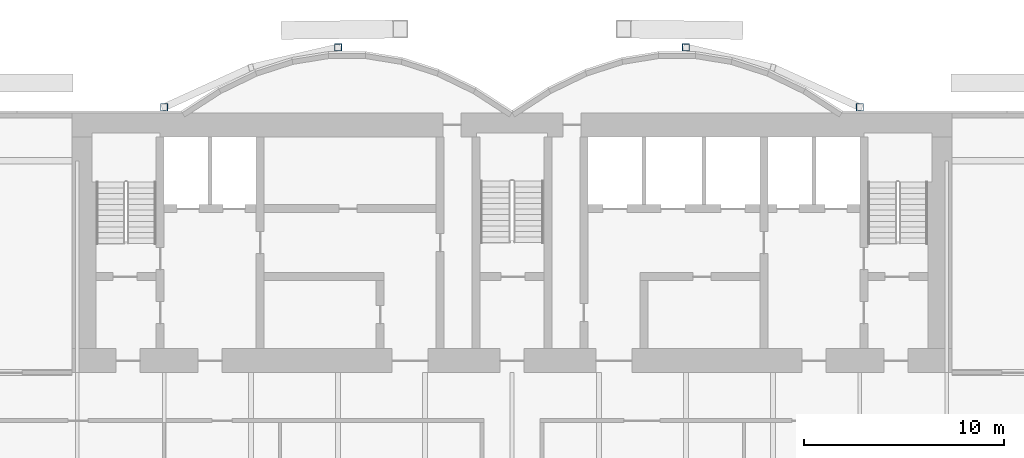
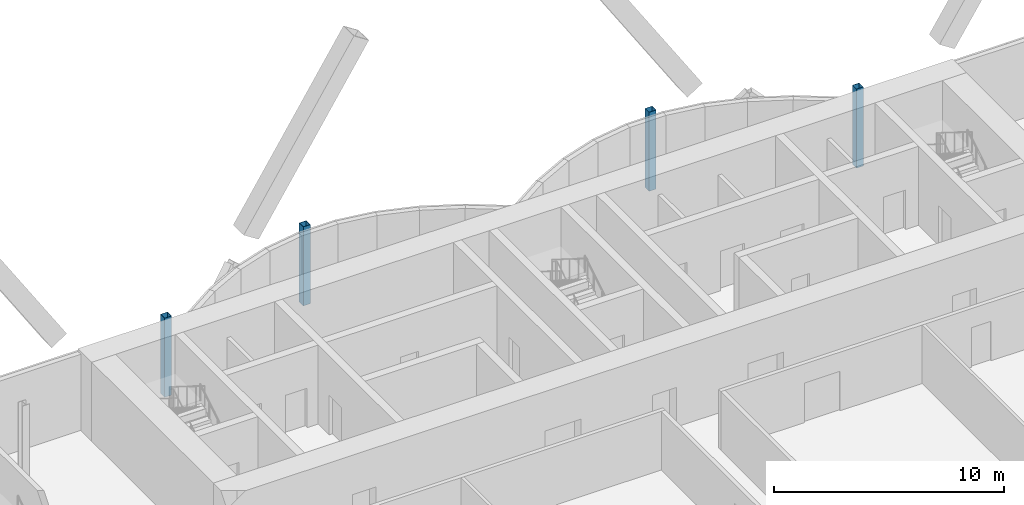
# One storey, part 3 of 19: 4 columns.
"""IFC4 building model written with IfcOpenShell, lengths in metres."""

from ifc_helpers import new_model, si_unit, direction, frame, origin, origin_2d, place, context, subcontext, project, spatial, hollow_rectangle, extrude, material, material_profile, profile_set, type_object, element, save


model = new_model("IFC4")

# Units and contexts
model_context = context("Model", 3, precision=1e-05, world=origin(), true_north=direction((0.0, 1.0)))
body_context = subcontext(model_context, "Body", "Model", "MODEL_VIEW")
ifc_project = project(units=[si_unit("LENGTHUNIT", "METRE"), si_unit("AREAUNIT", "SQUARE_METRE"), si_unit("VOLUMEUNIT", "CUBIC_METRE"), si_unit("PLANEANGLEUNIT", "RADIAN"), si_unit("MASSUNIT", "GRAM", prefix="KILO")], contexts=[model_context])

# Site, building, storey
site_placement = place(None, origin())
site = spatial("IfcSite", under=ifc_project, at=site_placement, CompositionType="ELEMENT")
building_placement = place(site_placement, origin())
building = spatial("IfcBuilding", under=site, at=building_placement, Name="Bicima Exchange Tower", CompositionType="ELEMENT")
storey_placement = place(building_placement, frame((0.0, 0.0, 270.800048828125)))
storey = spatial("IfcBuildingStorey", under=building, at=storey_placement, Name="L61", CompositionType="ELEMENT", Elevation=270.800048828125)

# Columns
ifc_material = material(Name="Steel ASTM A572 Gr 50", Category="steel")
ifc_material_profile = material_profile(ifc_material, hollow_rectangle(XDim=0.355712890625, YDim=0.355712890625, WallThickness=0.01171875, at=origin_2d()))
ifc_profile_set = profile_set([ifc_material_profile], Name="Steel ASTM A572 Gr 50")
column_type = type_object("IfcColumnType", Name="Rear pilaster HSS14x14x1/2", PredefinedType="COLUMN", material=ifc_profile_set)
for number, where, z_axis, x_axis, name in (
    (1, (-8.699951171875, 3.26904296875, 0.0), (0.0, 0.0, 1.0), (1.0, 0.0, 0.0), "Rear pilaster rexo-8.7r"),
    (2, (-17.39990234375, 0.278076171875, 0.0), (0.0, 0.0, 1.0), (1.0, 0.0, 0.0), "Rear pilaster rexo-17.4r"),
    (3, (8.699951171875, 3.26904296875, 0.0), (0.0, 0.0, 1.0), (1.0, 0.0, 0.0), "Rear pilaster rexo+8.7r"),
    (4, (17.39990234375, 0.278076171875, 0.0), (0.0, 0.0, 1.0), (1.0, 0.0, 0.0), "Rear pilaster rexo+17.4r"),
):
    element("IfcColumn", number, at=place(storey_placement, frame(where, z_axis=z_axis, x_axis=x_axis)), inside=storey, type_object=column_type, Name=name, PredefinedType="COLUMN", context=body_context, shape_type="SweptSolid", body=[
        extrude(hollow_rectangle(XDim=0.355712890625, YDim=0.355712890625, WallThickness=0.01171875, at=origin_2d()), origin(), (0.0, 0.0, 1.0), 4.199951171875),
    ])

save(model, "model.ifc")
